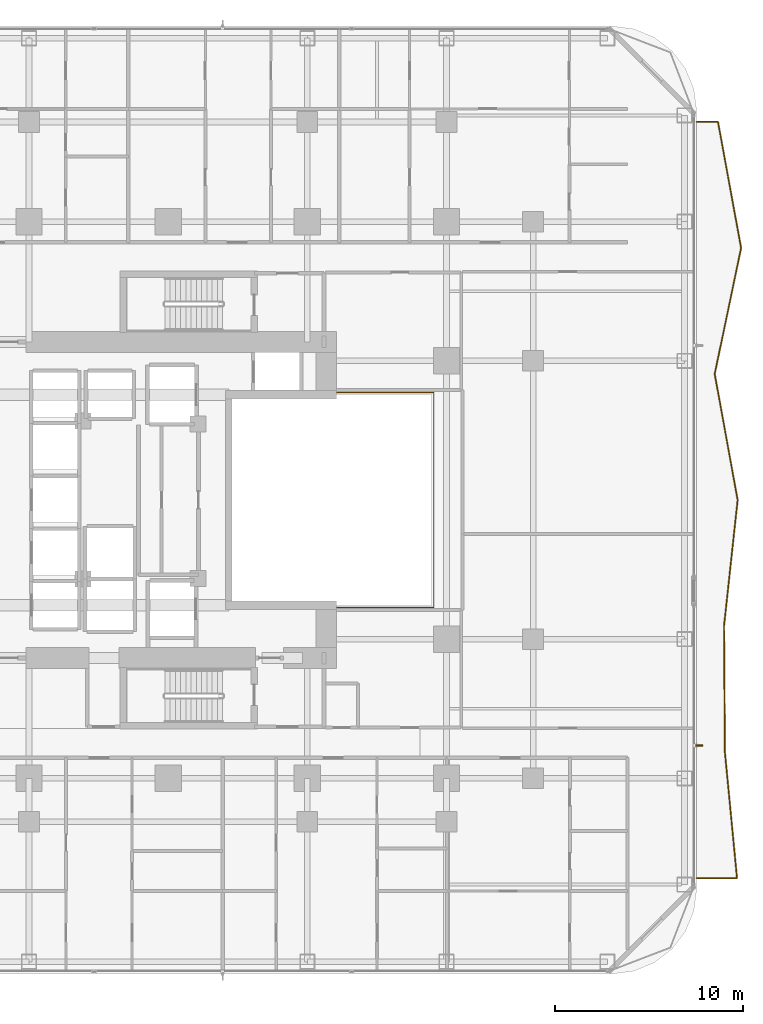
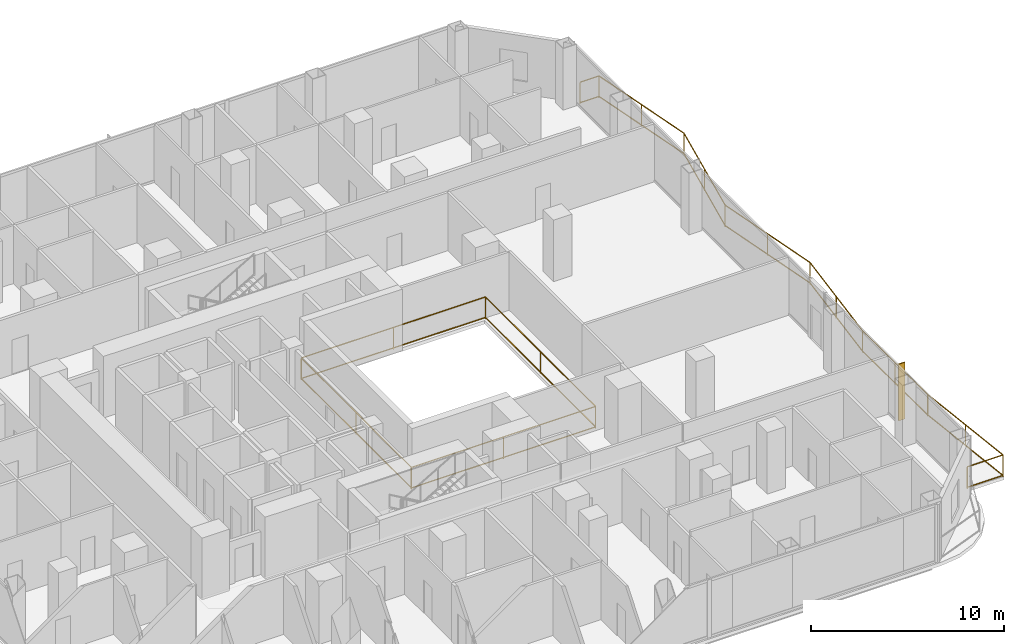
# One storey, part 28 of 30: 2 railings, 1 shading device.
"""IFC4 building model written with IfcOpenShell, lengths in metres."""

from ifc_helpers import new_model, si_unit, direction, frame, origin, origin_2d, place, context, subcontext, project, spatial, rectangle, extrude, material, layer, layer_set, type_object, element, save


model = new_model("IFC4")

# Units and contexts
model_context = context("Model", 3, precision=1e-05, world=origin(), true_north=direction((0.0, 1.0)))
body_context = subcontext(model_context, "Body", "Model", "MODEL_VIEW")
ifc_project = project(units=[si_unit("LENGTHUNIT", "METRE"), si_unit("AREAUNIT", "SQUARE_METRE"), si_unit("VOLUMEUNIT", "CUBIC_METRE"), si_unit("PLANEANGLEUNIT", "RADIAN"), si_unit("MASSUNIT", "GRAM", prefix="KILO")], contexts=[model_context])

# Site, building, storey
site_placement = place(None, origin())
site = spatial("IfcSite", under=ifc_project, at=site_placement, CompositionType="ELEMENT")
building_placement = place(site_placement, origin())
building = spatial("IfcBuilding", under=site, at=building_placement, Name="Khorvyn Point Tower", CompositionType="ELEMENT")
storey_placement = place(building_placement, frame((0.0, 0.0, 30.60009765625)))
storey = spatial("IfcBuildingStorey", under=building, at=storey_placement, Name="L08", CompositionType="ELEMENT", Elevation=30.60009765625)

# Shading device
ifc_material_1 = material(Name="Bronze anodised aluminium 6063-T6", Category="aluminium")
ifc_layer = layer(ifc_material_1, 0.06494140625)
ifc_layer_set = layer_set([ifc_layer], Name="Bronze Anodised Aluminium FIN 380x65")
shading_device_type = type_object("IfcShadingDeviceType", Name="Bronze Anodised Aluminium FIN 380x65", PredefinedType="USERDEFINED", material=ifc_layer_set)
shading_device_placement = place(storey_placement, frame((28.22998046875, -13.050048828125, 0.039794921875), z_axis=(0.0, 0.0, 1.0), x_axis=(1.0, 0.0, 0.0)))
element("IfcShadingDevice", 1, at=shading_device_placement, inside=storey, type_object=shading_device_type, Name="L08 Anodised FIN 01", ObjectType="FIN", PredefinedType="USERDEFINED", context=body_context, shape_type="SweptSolid", body=[
    extrude(rectangle(XDim=0.3798828125, YDim=0.06494140625, at=origin_2d()), origin(), (0.0, 0.0, 1.0), 3.60009765625),
])

# Railings
ifc_material_2 = material(Name="Stainless steel 1.4401 and laminated glass", Category="steel")
railing_type_1 = type_object("IfcRailingType", Name="Crystal Atrium Smoke-Rated Perimeter Guardrail 1400", PredefinedType="GUARDRAIL", material=ifc_material_2)
railing_1_placement = place(storey_placement, frame((3.080078125, -5.719970703125, 0.0)))
element("IfcRailing", 2, at=railing_1_placement, inside=storey, type_object=railing_type_1, Name="L08 Crystal Atrium Perimeter Guardrail", PredefinedType="GUARDRAIL", context=body_context, shape_type="SweptSolid", body=[
    extrude(rectangle(XDim=0.048095703125, YDim=0.048095703125, at=origin_2d()), frame((0.0, 0.0, 1.3759765625), z_axis=(1.0, 0.0, 0.0), x_axis=(0.0, 1.0, 0.0)), (0.0, 0.0, 1.0), 11.0400390625),
    extrude(rectangle(XDim=0.048095703125, YDim=0.048095703125, at=origin_2d()), frame((0.0, 0.0, 0.080078125), z_axis=(1.0, 0.0, 0.0), x_axis=(0.0, 1.0, 0.0)), (0.0, 0.0, 1.0), 11.0400390625),
    extrude(rectangle(XDim=0.048095703125, YDim=0.048095703125, at=origin_2d()), frame((11.0400390625, 0.0, 1.3759765625), z_axis=(0.0, 1.0, 0.0), x_axis=(-1.0, 0.0, 0.0)), (0.0, 0.0, 1.0), 11.43994140625),
    extrude(rectangle(XDim=0.048095703125, YDim=0.048095703125, at=origin_2d()), frame((11.0400390625, 0.0, 0.080078125), z_axis=(0.0, 1.0, 0.0), x_axis=(-1.0, 0.0, 0.0)), (0.0, 0.0, 1.0), 11.43994140625),
    extrude(rectangle(XDim=0.048095703125, YDim=0.048095703125, at=origin_2d()), frame((11.0400390625, 11.43994140625, 1.3759765625), z_axis=(-1.0, 0.0, 0.0), x_axis=(0.0, -1.0, 0.0)), (0.0, 0.0, 1.0), 11.0400390625),
    extrude(rectangle(XDim=0.048095703125, YDim=0.048095703125, at=origin_2d()), frame((11.0400390625, 11.43994140625, 0.080078125), z_axis=(-1.0, 0.0, 0.0), x_axis=(0.0, -1.0, 0.0)), (0.0, 0.0, 1.0), 11.0400390625),
    extrude(rectangle(XDim=0.048095703125, YDim=0.048095703125, at=origin_2d()), frame((0.0, 11.43994140625, 1.3759765625), z_axis=(0.0, -1.0, 0.0), x_axis=(1.0, 0.0, 0.0)), (0.0, 0.0, 1.0), 11.409912109375),
    extrude(rectangle(XDim=0.048095703125, YDim=0.048095703125, at=origin_2d()), frame((0.0, 11.43994140625, 0.080078125), z_axis=(0.0, -1.0, 0.0), x_axis=(1.0, 0.0, 0.0)), (0.0, 0.0, 1.0), 11.409912109375),
    extrude(rectangle(XDim=0.0419921875, YDim=0.0419921875, at=origin_2d()), origin(), (0.0, 0.0, 1.0), 1.351806640625),
    extrude(rectangle(XDim=0.0419921875, YDim=0.0419921875, at=origin_2d()), frame((5.52001953125, 0.0, 0.0)), (0.0, 0.0, 1.0), 1.351806640625),
    extrude(rectangle(XDim=0.0419921875, YDim=0.0419921875, at=origin_2d()), frame((11.0400390625, 0.0, 0.0)), (0.0, 0.0, 1.0), 1.351806640625),
    extrude(rectangle(XDim=0.0419921875, YDim=0.0419921875, at=origin_2d()), frame((11.0400390625, 5.719970703125, 0.0)), (0.0, 0.0, 1.0), 1.351806640625),
    extrude(rectangle(XDim=0.0419921875, YDim=0.0419921875, at=origin_2d()), frame((11.0400390625, 11.43994140625, 0.0)), (0.0, 0.0, 1.0), 1.351806640625),
    extrude(rectangle(XDim=0.0419921875, YDim=0.0419921875, at=origin_2d()), frame((5.52001953125, 11.43994140625, 0.0)), (0.0, 0.0, 1.0), 1.351806640625),
    extrude(rectangle(XDim=0.0419921875, YDim=0.0419921875, at=origin_2d()), frame((0.0, 11.43994140625, 0.0)), (0.0, 0.0, 1.0), 1.351806640625),
    extrude(rectangle(XDim=0.0419921875, YDim=0.0419921875, at=origin_2d()), frame((0.0, 5.73486328125, 0.0)), (0.0, 0.0, 1.0), 1.351806640625),
    extrude(rectangle(XDim=0.0419921875, YDim=0.0419921875, at=origin_2d()), frame((0.0, 0.030029296875, 0.0)), (0.0, 0.0, 1.0), 1.351806640625),
])
ifc_material_3 = material(Name="Anodised aluminium 6063-T6 and laminated safety glass", Category="aluminium")
railing_type_2 = type_object("IfcRailingType", Name="Laminated Glass and Aluminium Balcony Guardrail 1400", PredefinedType="BALUSTRADE", material=ifc_material_3)
railing_2_placement = place(storey_placement, frame((28.10009765625, -20.10009765625, 0.0)))
element("IfcRailing", 3, at=railing_2_placement, inside=storey, type_object=railing_type_2, Name="L08 East Balcony Guardrail", PredefinedType="BALUSTRADE", context=body_context, shape_type="SweptSolid", body=[
    extrude(rectangle(XDim=0.048095703125, YDim=0.048095703125, at=origin_2d()), frame((0.0, 0.0, 1.3759765625), z_axis=(1.0, 0.0, 0.0), x_axis=(0.0, 1.0, 0.0)), (0.0, 0.0, 1.0), 2.142578125),
    extrude(rectangle(XDim=0.048095703125, YDim=0.048095703125, at=origin_2d()), frame((0.0, 0.0, 0.080078125), z_axis=(1.0, 0.0, 0.0), x_axis=(0.0, 1.0, 0.0)), (0.0, 0.0, 1.0), 2.142578125),
    extrude(rectangle(XDim=0.048095703125, YDim=0.048095703125, at=origin_2d()), frame((2.142578125, 0.0, 1.3759765625), z_axis=(-0.09586168551, 0.995394664066, 0.0), x_axis=(-0.995394664066, -0.09586168551, 0.0)), (0.0, 0.0, 1.0), 6.731201171875),
    extrude(rectangle(XDim=0.048095703125, YDim=0.048095703125, at=origin_2d()), frame((2.142578125, 0.0, 0.080078125), z_axis=(-0.09586168551, 0.995394664066, 0.0), x_axis=(-0.995394664066, -0.09586168551, 0.0)), (0.0, 0.0, 1.0), 6.731201171875),
    extrude(rectangle(XDim=0.048095703125, YDim=0.048095703125, at=origin_2d()), frame((1.497314453125, 6.7001953125, 1.3759765625), z_axis=(-0.006850402242, 0.999976535719, 0.0), x_axis=(-0.999976535719, -0.006850402242, 0.0)), (0.0, 0.0, 1.0), 6.7001953125),
    extrude(rectangle(XDim=0.048095703125, YDim=0.048095703125, at=origin_2d()), frame((1.497314453125, 6.7001953125, 0.080078125), z_axis=(-0.006850402242, 0.999976535719, 0.0), x_axis=(-0.999976535719, -0.006850402242, 0.0)), (0.0, 0.0, 1.0), 6.7001953125),
    extrude(rectangle(XDim=0.048095703125, YDim=0.048095703125, at=origin_2d()), frame((1.451416015625, 13.400146484375, 1.3759765625), z_axis=(0.107631852309, 0.994190818892, 0.0), x_axis=(-0.994190818892, 0.107631852309, 0.0)), (0.0, 0.0, 1.0), 6.739013671875),
    extrude(rectangle(XDim=0.048095703125, YDim=0.048095703125, at=origin_2d()), frame((1.451416015625, 13.400146484375, 0.080078125), z_axis=(0.107631852309, 0.994190818892, 0.0), x_axis=(-0.994190818892, 0.107631852309, 0.0)), (0.0, 0.0, 1.0), 6.739013671875),
    extrude(rectangle(XDim=0.048095703125, YDim=0.048095703125, at=origin_2d()), frame((2.1767578125, 20.10009765625, 1.3759765625), z_axis=(-0.179106269286, 0.98382973339, 0.0), x_axis=(-0.98382973339, -0.179106269286, 0.0)), (0.0, 0.0, 1.0), 6.81005859375),
    extrude(rectangle(XDim=0.048095703125, YDim=0.048095703125, at=origin_2d()), frame((2.1767578125, 20.10009765625, 0.080078125), z_axis=(-0.179106269286, 0.98382973339, 0.0), x_axis=(-0.98382973339, -0.179106269286, 0.0)), (0.0, 0.0, 1.0), 6.81005859375),
    extrude(rectangle(XDim=0.048095703125, YDim=0.048095703125, at=origin_2d()), frame((0.95703125, 26.800048828125, 1.3759765625), z_axis=(0.204969631985, 0.978768333143, 0.0), x_axis=(-0.978768333143, 0.204969631985, 0.0)), (0.0, 0.0, 1.0), 6.84521484375),
    extrude(rectangle(XDim=0.048095703125, YDim=0.048095703125, at=origin_2d()), frame((0.95703125, 26.800048828125, 0.080078125), z_axis=(0.204969631985, 0.978768333143, 0.0), x_axis=(-0.978768333143, 0.204969631985, 0.0)), (0.0, 0.0, 1.0), 6.84521484375),
    extrude(rectangle(XDim=0.048095703125, YDim=0.048095703125, at=origin_2d()), frame((2.360107421875, 33.5, 1.3759765625), z_axis=(-0.180348673749, 0.983602742919, 0.0), x_axis=(-0.983602742919, -0.180348673749, 0.0)), (0.0, 0.0, 1.0), 6.81201171875),
    extrude(rectangle(XDim=0.048095703125, YDim=0.048095703125, at=origin_2d()), frame((2.360107421875, 33.5, 0.080078125), z_axis=(-0.180348673749, 0.983602742919, 0.0), x_axis=(-0.983602742919, -0.180348673749, 0.0)), (0.0, 0.0, 1.0), 6.81201171875),
    extrude(rectangle(XDim=0.048095703125, YDim=0.048095703125, at=origin_2d()), frame((1.131591796875, 40.2001953125, 1.3759765625), z_axis=(-1.0, 0.0, 0.0), x_axis=(0.0, -1.0, 0.0)), (0.0, 0.0, 1.0), 1.131591796875),
    extrude(rectangle(XDim=0.048095703125, YDim=0.048095703125, at=origin_2d()), frame((1.131591796875, 40.2001953125, 0.080078125), z_axis=(-1.0, 0.0, 0.0), x_axis=(0.0, -1.0, 0.0)), (0.0, 0.0, 1.0), 1.131591796875),
    extrude(rectangle(XDim=0.0419921875, YDim=0.0419921875, at=origin_2d()), origin(), (0.0, 0.0, 1.0), 1.351806640625),
    extrude(rectangle(XDim=0.0419921875, YDim=0.0419921875, at=origin_2d()), frame((2.142578125, 0.0, 0.0)), (0.0, 0.0, 1.0), 1.351806640625),
    extrude(rectangle(XDim=0.0419921875, YDim=0.0419921875, at=origin_2d()), frame((1.81982421875, 3.35009765625, 0.0)), (0.0, 0.0, 1.0), 1.351806640625),
    extrude(rectangle(XDim=0.0419921875, YDim=0.0419921875, at=origin_2d()), frame((1.497314453125, 6.7001953125, 0.0)), (0.0, 0.0, 1.0), 1.351806640625),
    extrude(rectangle(XDim=0.0419921875, YDim=0.0419921875, at=origin_2d()), frame((1.474365234375, 10.05029296875, 0.0)), (0.0, 0.0, 1.0), 1.351806640625),
    extrude(rectangle(XDim=0.0419921875, YDim=0.0419921875, at=origin_2d()), frame((1.451416015625, 13.400146484375, 0.0)), (0.0, 0.0, 1.0), 1.351806640625),
    extrude(rectangle(XDim=0.0419921875, YDim=0.0419921875, at=origin_2d()), frame((1.81396484375, 16.75, 0.0)), (0.0, 0.0, 1.0), 1.351806640625),
    extrude(rectangle(XDim=0.0419921875, YDim=0.0419921875, at=origin_2d()), frame((2.1767578125, 20.10009765625, 0.0)), (0.0, 0.0, 1.0), 1.351806640625),
    extrude(rectangle(XDim=0.0419921875, YDim=0.0419921875, at=origin_2d()), frame((1.56689453125, 23.4501953125, 0.0)), (0.0, 0.0, 1.0), 1.351806640625),
    extrude(rectangle(XDim=0.0419921875, YDim=0.0419921875, at=origin_2d()), frame((0.95703125, 26.800048828125, 0.0)), (0.0, 0.0, 1.0), 1.351806640625),
    extrude(rectangle(XDim=0.0419921875, YDim=0.0419921875, at=origin_2d()), frame((1.65869140625, 30.14990234375, 0.0)), (0.0, 0.0, 1.0), 1.351806640625),
    extrude(rectangle(XDim=0.0419921875, YDim=0.0419921875, at=origin_2d()), frame((2.360107421875, 33.5, 0.0)), (0.0, 0.0, 1.0), 1.351806640625),
    extrude(rectangle(XDim=0.0419921875, YDim=0.0419921875, at=origin_2d()), frame((1.745849609375, 36.85009765625, 0.0)), (0.0, 0.0, 1.0), 1.351806640625),
    extrude(rectangle(XDim=0.0419921875, YDim=0.0419921875, at=origin_2d()), frame((1.131591796875, 40.2001953125, 0.0)), (0.0, 0.0, 1.0), 1.351806640625),
    extrude(rectangle(XDim=0.0419921875, YDim=0.0419921875, at=origin_2d()), frame((0.0, 40.2001953125, 0.0)), (0.0, 0.0, 1.0), 1.351806640625),
])

save(model, "model.ifc")
